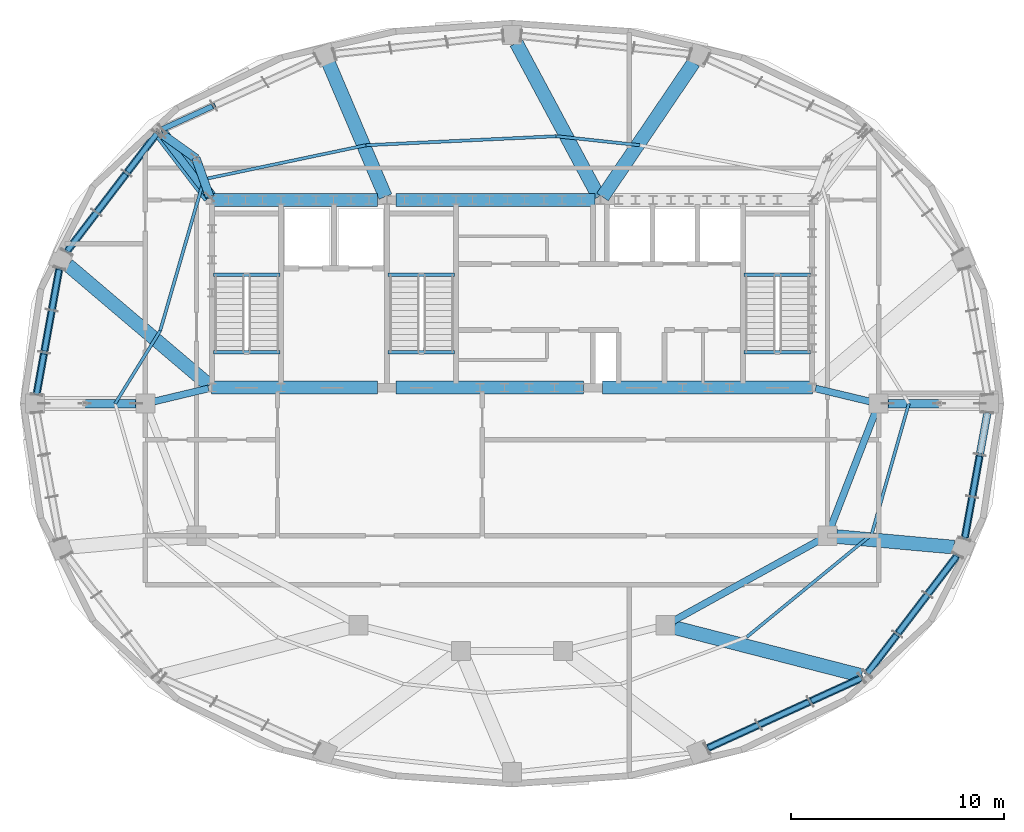
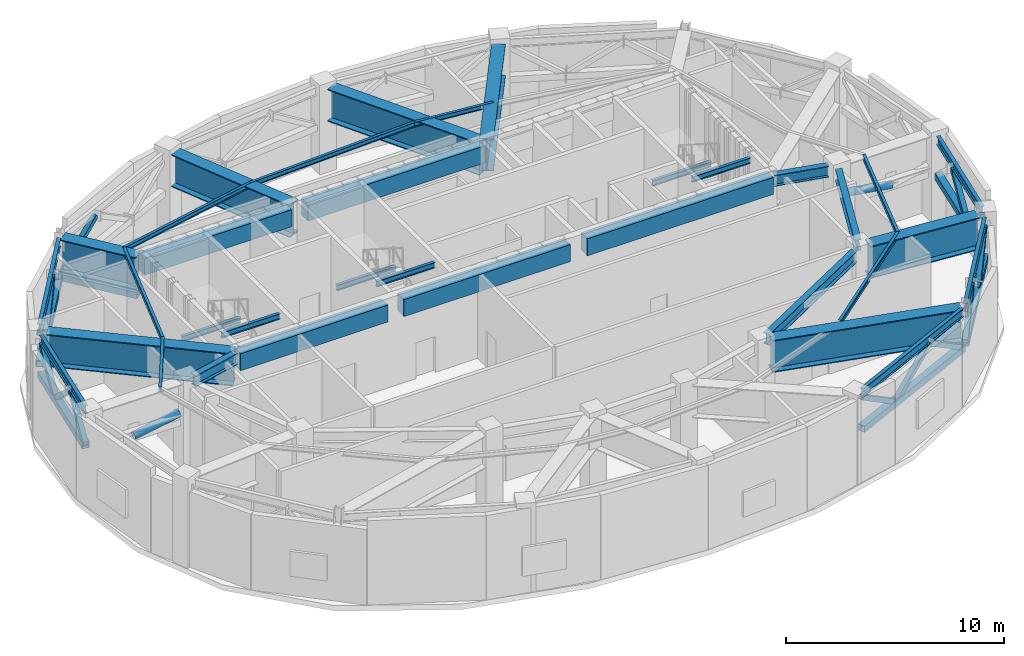
# One storey, part 2 of 15: 34 beams, 25 members.
"""IFC4 building model written with IfcOpenShell, lengths in metres."""

from ifc_helpers import new_model, si_unit, direction, frame, origin, origin_2d, place, context, subcontext, project, spatial, rectangle, hollow_rectangle, hollow_circle, i_section, extrude, material, material_profile, profile_set, type_object, element, save


model = new_model("IFC4")

# Units and contexts
model_context = context("Model", 3, precision=1e-05, world=origin(), true_north=direction((0.0, 1.0)))
body_context = subcontext(model_context, "Body", "Model", "MODEL_VIEW")
ifc_project = project(units=[si_unit("LENGTHUNIT", "METRE"), si_unit("AREAUNIT", "SQUARE_METRE"), si_unit("VOLUMEUNIT", "CUBIC_METRE"), si_unit("PLANEANGLEUNIT", "RADIAN"), si_unit("MASSUNIT", "GRAM", prefix="KILO")], contexts=[model_context])

# Site, building, storey
site_placement = place(None, origin())
site = spatial("IfcSite", under=ifc_project, at=site_placement, CompositionType="ELEMENT")
building_placement = place(site_placement, origin())
building = spatial("IfcBuilding", under=site, at=building_placement, Name="Haldorwick Loom Tower", CompositionType="ELEMENT")
storey_placement = place(building_placement, frame((0.0, 0.0, 286.5)))
storey = spatial("IfcBuildingStorey", under=building, at=storey_placement, Name="L77", CompositionType="ELEMENT", Elevation=286.5)

# Beams
ifc_material_1 = material(Name="Concrete C50 (50 MPa)", Category="concrete")
ifc_material_profile_1 = material_profile(ifc_material_1, rectangle(XDim=0.60009765625, YDim=0.949951171875, at=origin_2d()), Name="RC600X950", Category="concrete")
ifc_profile_set_1 = profile_set([ifc_material_profile_1], Name="Concrete C50 (50 MPa)")
beam_type_1 = type_object("IfcBeamType", Name="STR-BM-CB950", PredefinedType="LINTEL", material=ifc_profile_set_1)
beam_1_placement = place(storey_placement, frame((21.89990234375, 35.550048828125, 4.2451171875), z_axis=(1.0, 0.0, 0.0), x_axis=(0.0, 1.0, 0.0)))
element("IfcBeam", 1, at=beam_1_placement, inside=storey, type_object=beam_type_1, Name="L77 Core Coupling Beam CB-N1", PredefinedType="LINTEL", context=body_context, shape_type="SweptSolid", body=[
    extrude(rectangle(XDim=0.60009765625, YDim=0.949951171875, at=origin_2d()), origin(), (0.0, 0.0, 1.0), 7.800048828125),
])
beam_2_placement = place(storey_placement, frame((30.550048828125, 35.550048828125, 4.2451171875), z_axis=(1.0, 0.0, 0.0), x_axis=(0.0, 1.0, 0.0)))
element("IfcBeam", 2, at=beam_2_placement, inside=storey, type_object=beam_type_1, Name="L77 Core Coupling Beam CB-N2", PredefinedType="LINTEL", context=body_context, shape_type="SweptSolid", body=[
    extrude(rectangle(XDim=0.60009765625, YDim=0.949951171875, at=origin_2d()), origin(), (0.0, 0.0, 1.0), 9.349853515625),
])
beam_3_placement = place(storey_placement, frame((21.89990234375, 26.75, 4.2451171875), z_axis=(1.0, 0.0, 0.0), x_axis=(0.0, 1.0, 0.0)))
element("IfcBeam", 3, at=beam_3_placement, inside=storey, type_object=beam_type_1, Name="L77 Core Coupling Beam CB-S1", PredefinedType="LINTEL", context=body_context, shape_type="SweptSolid", body=[
    extrude(rectangle(XDim=0.60009765625, YDim=0.949951171875, at=origin_2d()), origin(), (0.0, 0.0, 1.0), 7.800048828125),
])
beam_4_placement = place(storey_placement, frame((30.550048828125, 26.75, 4.2451171875), z_axis=(1.0, 0.0, 0.0), x_axis=(0.0, 1.0, 0.0)))
element("IfcBeam", 4, at=beam_4_placement, inside=storey, type_object=beam_type_1, Name="L77 Core Coupling Beam CB-S2", PredefinedType="LINTEL", context=body_context, shape_type="SweptSolid", body=[
    extrude(rectangle(XDim=0.60009765625, YDim=0.949951171875, at=origin_2d()), origin(), (0.0, 0.0, 1.0), 8.800048828125),
])
beam_5_placement = place(storey_placement, frame((40.25, 26.75, 4.2451171875), z_axis=(1.0, 0.0, 0.0), x_axis=(0.0, 1.0, 0.0)))
element("IfcBeam", 5, at=beam_5_placement, inside=storey, type_object=beam_type_1, Name="L77 Core Coupling Beam CB-S3", PredefinedType="LINTEL", context=body_context, shape_type="SweptSolid", body=[
    extrude(rectangle(XDim=0.60009765625, YDim=0.949951171875, at=origin_2d()), origin(), (0.0, 0.0, 1.0), 9.85009765625),
])
ifc_material_2 = material(Name="Steel CSA G40.21 350W", Category="steel")
ifc_material_profile_2 = material_profile(ifc_material_2, i_section(OverallWidth=0.14599609375, OverallDepth=0.258056640625, WebThickness=0.006103515625, FlangeThickness=0.009033203125, at=origin_2d()), Name="W250X33", Category="steel")
ifc_profile_set_2 = profile_set([ifc_material_profile_2], Name="Steel CSA G40.21 350W")
beam_type_2 = type_object("IfcBeamType", Name="STR-BM-J250", PredefinedType="JOIST", material=ifc_profile_set_2)
beam_6_placement = place(storey_placement, frame((41.99755859375, 38.119873046875, 4.591064453125), z_axis=(-0.994246477225, 0.107116490451, 0.0), x_axis=(-0.107116490451, -0.994246477225, 0.0)))
element("IfcBeam", 6, at=beam_6_placement, inside=storey, type_object=beam_type_2, Name="L77 Mid-Bay Secondary Joist 4", PredefinedType="JOIST", context=body_context, shape_type="SweptSolid", body=[
    extrude(i_section(OverallWidth=0.14599609375, OverallDepth=0.258056640625, WebThickness=0.006103515625, FlangeThickness=0.009033203125, at=origin_2d()), origin(), (0.0, 0.0, 1.0), 3.9453125),
])
beam_7_placement = place(storey_placement, frame((38.074951171875, 38.54248046875, 4.591064453125), z_axis=(-0.998882668126, -0.047259023657, 0.0), x_axis=(0.047259023657, -0.998882668126, 0.0)))
element("IfcBeam", 7, at=beam_7_placement, inside=storey, type_object=beam_type_2, Name="L77 Mid-Bay Secondary Joist 5", PredefinedType="JOIST", context=body_context, shape_type="SweptSolid", body=[
    extrude(i_section(OverallWidth=0.14599609375, OverallDepth=0.258056640625, WebThickness=0.006103515625, FlangeThickness=0.009033203125, at=origin_2d()), origin(), (0.0, 0.0, 1.0), 8.9423828125),
])
beam_8_placement = place(storey_placement, frame((29.142578125, 38.119873046875, 4.591064453125), z_axis=(-0.978646531779, -0.205550397315, 0.0), x_axis=(0.205550397315, -0.978646531779, 0.0)))
element("IfcBeam", 8, at=beam_8_placement, inside=storey, type_object=beam_type_2, Name="L77 Mid-Bay Secondary Joist 6", PredefinedType="JOIST", context=body_context, shape_type="SweptSolid", body=[
    extrude(i_section(OverallWidth=0.14599609375, OverallDepth=0.258056640625, WebThickness=0.006103515625, FlangeThickness=0.009033203125, at=origin_2d()), origin(), (0.0, 0.0, 1.0), 7.755859375),
])
beam_9_placement = place(storey_placement, frame((21.55224609375, 36.525634765625, 4.591064453125), z_axis=(-0.27798758119, -0.96058466816, 0.0), x_axis=(0.96058466816, -0.27798758119, 0.0)))
element("IfcBeam", 9, at=beam_9_placement, inside=storey, type_object=beam_type_2, Name="L77 Mid-Bay Secondary Joist 7", PredefinedType="JOIST", context=body_context, shape_type="SweptSolid", body=[
    extrude(i_section(OverallWidth=0.14599609375, OverallDepth=0.258056640625, WebThickness=0.006103515625, FlangeThickness=0.009033203125, at=origin_2d()), origin(), (0.0, 0.0, 1.0), 7.400146484375),
])
beam_10_placement = place(storey_placement, frame((19.4951171875, 29.417236328125, 4.591064453125), z_axis=(-0.525703769437, -0.850667706452, 0.0), x_axis=(0.850667706452, -0.525703769437, 0.0)))
element("IfcBeam", 10, at=beam_10_placement, inside=storey, type_object=beam_type_2, Name="L77 Mid-Bay Secondary Joist 8", PredefinedType="JOIST", context=body_context, shape_type="SweptSolid", body=[
    extrude(i_section(OverallWidth=0.14599609375, OverallDepth=0.258056640625, WebThickness=0.006103515625, FlangeThickness=0.009033203125, at=origin_2d()), origin(), (0.0, 0.0, 1.0), 4.01708984375),
])
beam_11_placement = place(storey_placement, frame((47.0126953125, 15.04931640625, 4.591064453125), z_axis=(0.772901177017, 0.634526414396, 0.0), x_axis=(-0.634526414396, 0.772901177017, 0.0)))
element("IfcBeam", 11, at=beam_11_placement, inside=storey, type_object=beam_type_2, Name="L77 Mid-Bay Secondary Joist 15", PredefinedType="JOIST", context=body_context, shape_type="SweptSolid", body=[
    extrude(i_section(OverallWidth=0.14599609375, OverallDepth=0.258056640625, WebThickness=0.006103515625, FlangeThickness=0.009033203125, at=origin_2d()), origin(), (0.0, 0.0, 1.0), 7.577880859375),
])
beam_12_placement = place(storey_placement, frame((52.86962890625, 19.857666015625, 4.591064453125), z_axis=(0.273579780374, 0.961849314482, 0.0), x_axis=(-0.961849314482, 0.273579780374, 0.0)))
element("IfcBeam", 12, at=beam_12_placement, inside=storey, type_object=beam_type_2, Name="L77 Mid-Bay Secondary Joist 16", PredefinedType="JOIST", context=body_context, shape_type="SweptSolid", body=[
    extrude(i_section(OverallWidth=0.14599609375, OverallDepth=0.258056640625, WebThickness=0.006103515625, FlangeThickness=0.009033203125, at=origin_2d()), origin(), (0.0, 0.0, 1.0), 6.385986328125),
])
ifc_material_profile_3 = material_profile(ifc_material_2, i_section(OverallWidth=0.193115234375, OverallDepth=0.466064453125, WebThickness=0.011474609375, FlangeThickness=0.01904296875, at=origin_2d()), Name="W460X97", Category="steel")
ifc_profile_set_3 = profile_set([ifc_material_profile_3], Name="Steel CSA G40.21 350W")
beam_type_3 = type_object("IfcBeamType", Name="STR-BM-SP460", PredefinedType="SPANDREL", material=ifc_profile_set_3)
beam_13_placement = place(storey_placement, frame((19.336181640625, 38.66552734375, 4.487060546875), z_axis=(-0.606384376075, -0.795171672315, 0.0), x_axis=(0.795171672315, -0.606384376075, 0.0)))
element("IfcBeam", 13, at=beam_13_placement, inside=storey, type_object=beam_type_3, Name="L77 Perimeter Spandrel 7", PredefinedType="SPANDREL", context=body_context, shape_type="SweptSolid", body=[
    extrude(i_section(OverallWidth=0.193115234375, OverallDepth=0.466064453125, WebThickness=0.011474609375, FlangeThickness=0.01904296875, at=origin_2d()), origin(), (0.0, 0.0, 1.0), 6.984619140625),
])
beam_14_placement = place(storey_placement, frame((14.767578125, 32.355224609375, 4.487060546875), z_axis=(-0.177809893073, -0.984064856565, 0.0), x_axis=(0.984064856565, -0.177809893073, 0.0)))
element("IfcBeam", 14, at=beam_14_placement, inside=storey, type_object=beam_type_3, Name="L77 Perimeter Spandrel 8", PredefinedType="SPANDREL", context=body_context, shape_type="SweptSolid", body=[
    extrude(i_section(OverallWidth=0.193115234375, OverallDepth=0.466064453125, WebThickness=0.011474609375, FlangeThickness=0.01904296875, at=origin_2d()), origin(), (0.0, 0.0, 1.0), 6.033203125),
])
beam_15_placement = place(storey_placement, frame((45.150390625, 9.823486328125, 4.487060546875), z_axis=(0.910060964072, 0.414474416185, 0.0), x_axis=(-0.414474416185, 0.910060964072, 0.0)))
element("IfcBeam", 15, at=beam_15_placement, inside=storey, type_object=beam_type_3, Name="L77 Perimeter Spandrel 14", PredefinedType="SPANDREL", context=body_context, shape_type="SweptSolid", body=[
    extrude(i_section(OverallWidth=0.193115234375, OverallDepth=0.466064453125, WebThickness=0.011474609375, FlangeThickness=0.01904296875, at=origin_2d()), origin(), (0.0, 0.0, 1.0), 7.97021484375),
])
beam_16_placement = place(storey_placement, frame((52.663818359375, 13.33447265625, 4.487060546875), z_axis=(0.606384376075, 0.795171672315, 0.0), x_axis=(-0.795171672315, 0.606384376075, 0.0)))
element("IfcBeam", 16, at=beam_16_placement, inside=storey, type_object=beam_type_3, Name="L77 Perimeter Spandrel 15", PredefinedType="SPANDREL", context=body_context, shape_type="SweptSolid", body=[
    extrude(i_section(OverallWidth=0.193115234375, OverallDepth=0.466064453125, WebThickness=0.011474609375, FlangeThickness=0.01904296875, at=origin_2d()), origin(), (0.0, 0.0, 1.0), 6.984619140625),
])
beam_17_placement = place(storey_placement, frame((57.232421875, 19.644775390625, 4.487060546875), z_axis=(0.177809893073, 0.984064856565, 0.0), x_axis=(-0.984064856565, 0.177809893073, 0.0)))
element("IfcBeam", 17, at=beam_17_placement, inside=storey, type_object=beam_type_3, Name="L77 Perimeter Spandrel 16", PredefinedType="SPANDREL", context=body_context, shape_type="SweptSolid", body=[
    extrude(i_section(OverallWidth=0.193115234375, OverallDepth=0.466064453125, WebThickness=0.011474609375, FlangeThickness=0.01904296875, at=origin_2d()), origin(), (0.0, 0.0, 1.0), 6.033203125),
])
ifc_material_profile_4 = material_profile(ifc_material_2, i_section(OverallWidth=0.166015625, OverallDepth=0.31298828125, WebThickness=0.006591796875, FlangeThickness=0.01123046875, at=origin_2d()), Name="W310X45", Category="steel")
ifc_profile_set_4 = profile_set([ifc_material_profile_4], Name="Steel CSA G40.21 350W")
beam_type_4 = type_object("IfcBeamType", Name="STR-BM-STRM", PredefinedType="BEAM", material=ifc_profile_set_4)
for number, where, z_axis, x_axis, name in (
    (18, (21.989990234375, 28.39990234375, 4.5634765625), (1.0, 0.0, 0.0), (0.0, 1.0, 0.0), "L77 Stair ST-01 Landing Edge Trimmer"),
    (19, (21.989990234375, 32.0400390625, 2.1435546875), (1.0, 0.0, 0.0), (0.0, 1.0, 0.0), "L77 Stair ST-01 Half-Landing Trimmer 1"),
    (20, (46.889892578125, 28.39990234375, 4.5634765625), (1.0, 0.0, 0.0), (0.0, 1.0, 0.0), "L77 Stair ST-02 Landing Edge Trimmer"),
    (21, (46.889892578125, 32.0400390625, 2.1435546875), (1.0, 0.0, 0.0), (0.0, 1.0, 0.0), "L77 Stair ST-02 Half-Landing Trimmer 1"),
    (22, (30.18994140625, 28.39990234375, 4.5634765625), (1.0, 0.0, 0.0), (0.0, 1.0, 0.0), "L77 Stair ST-03 Landing Edge Trimmer"),
    (23, (30.18994140625, 32.0400390625, 2.1435546875), (1.0, 0.0, 0.0), (0.0, 1.0, 0.0), "L77 Stair ST-03 Half-Landing Trimmer 1"),
):
    element("IfcBeam", number, at=place(storey_placement, frame(where, z_axis=z_axis, x_axis=x_axis)), inside=storey, type_object=beam_type_4, Name=name, PredefinedType="BEAM", context=body_context, shape_type="SweptSolid", body=[
        extrude(i_section(OverallWidth=0.166015625, OverallDepth=0.31298828125, WebThickness=0.006591796875, FlangeThickness=0.01123046875, at=origin_2d()), origin(), (0.0, 0.0, 1.0), 3.1201171875),
    ])
ifc_material_3 = material(Name="Steel CSA G40.21 350WT", Category="steel")
ifc_material_profile_5 = material_profile(ifc_material_3, i_section(OverallWidth=0.64990234375, OverallDepth=1.800048828125, WebThickness=0.02587890625, FlangeThickness=0.048095703125, at=origin_2d()), Name="WWF1800X650", Category="steel")
ifc_profile_set_5 = profile_set([ifc_material_profile_5], Name="Steel CSA G40.21 350WT")
beam_type_5 = type_object("IfcBeamType", Name="STR-BM-TG1800", PredefinedType="BEAM", material=ifc_profile_set_5)
beam_18_placement = place(storey_placement, frame((40.246337890625, 35.69189453125, 3.820068359375), z_axis=(0.561268006634, 0.827634112835, 0.0), x_axis=(-0.827634112835, 0.561268006634, 0.0)))
element("IfcBeam", 24, at=beam_18_placement, inside=storey, type_object=beam_type_5, Name="L77 Setback Inner Transfer Girder 4", PredefinedType="BEAM", context=body_context, shape_type="SweptSolid", body=[
    extrude(i_section(OverallWidth=0.64990234375, OverallDepth=1.800048828125, WebThickness=0.02587890625, FlangeThickness=0.048095703125, at=origin_2d()), origin(), (0.0, 0.0, 1.0), 7.623046875),
])
beam_19_placement = place(storey_placement, frame((40.069091796875, 35.701171875, 3.820068359375), z_axis=(-0.472299991388, 0.881437869696, 0.0), x_axis=(-0.881437869696, -0.472299991388, 0.0)))
element("IfcBeam", 25, at=beam_19_placement, inside=storey, type_object=beam_type_5, Name="L77 Setback Inner Transfer Girder 5", PredefinedType="BEAM", context=body_context, shape_type="SweptSolid", body=[
    extrude(i_section(OverallWidth=0.64990234375, OverallDepth=1.800048828125, WebThickness=0.02587890625, FlangeThickness=0.048095703125, at=origin_2d()), origin(), (0.0, 0.0, 1.0), 8.190673828125),
])
beam_20_placement = place(storey_placement, frame((30.06298828125, 35.707763671875, 3.820068359375), z_axis=(-0.391420554147, 0.92021190483, 0.0), x_axis=(-0.92021190483, -0.391420554147, 0.0)))
element("IfcBeam", 26, at=beam_20_placement, inside=storey, type_object=beam_type_5, Name="L77 Setback Inner Transfer Girder 6", PredefinedType="BEAM", context=body_context, shape_type="SweptSolid", body=[
    extrude(i_section(OverallWidth=0.64990234375, OverallDepth=1.800048828125, WebThickness=0.02587890625, FlangeThickness=0.048095703125, at=origin_2d()), origin(), (0.0, 0.0, 1.0), 6.796142578125),
])
beam_21_placement = place(storey_placement, frame((21.82568359375, 35.686279296875, 3.820068359375), z_axis=(-0.607923320425, 0.793995740847, 0.0), x_axis=(-0.793995740847, -0.607923320425, 0.0)))
element("IfcBeam", 27, at=beam_21_placement, inside=storey, type_object=beam_type_5, Name="L77 Setback Inner Transfer Girder 7", PredefinedType="BEAM", context=body_context, shape_type="SweptSolid", body=[
    extrude(i_section(OverallWidth=0.64990234375, OverallDepth=1.800048828125, WebThickness=0.02587890625, FlangeThickness=0.048095703125, at=origin_2d()), origin(), (0.0, 0.0, 1.0), 3.75244140625),
])
beam_22_placement = place(storey_placement, frame((21.79931640625, 26.861083984375, 3.820068359375), z_axis=(-0.761954542494, 0.647630508216, 0.0), x_axis=(-0.647630508216, -0.761954542494, 0.0)))
element("IfcBeam", 28, at=beam_22_placement, inside=storey, type_object=beam_type_5, Name="L77 Setback Inner Transfer Girder 8", PredefinedType="BEAM", context=body_context, shape_type="SweptSolid", body=[
    extrude(i_section(OverallWidth=0.64990234375, OverallDepth=1.800048828125, WebThickness=0.02587890625, FlangeThickness=0.048095703125, at=origin_2d()), origin(), (0.0, 0.0, 1.0), 8.704345703125),
])
beam_23_placement = place(storey_placement, frame((43.61181640625, 15.494384765625, 3.820068359375), z_axis=(0.968607693966, -0.248594318498, 0.0), x_axis=(0.248594318498, 0.968607693966, 0.0)))
element("IfcBeam", 29, at=beam_23_placement, inside=storey, type_object=beam_type_5, Name="L77 Setback Inner Transfer Girder 15", PredefinedType="BEAM", context=body_context, shape_type="SweptSolid", body=[
    extrude(i_section(OverallWidth=0.64990234375, OverallDepth=1.800048828125, WebThickness=0.02587890625, FlangeThickness=0.048095703125, at=origin_2d()), origin(), (0.0, 0.0, 1.0), 9.066650390625),
])
beam_24_placement = place(storey_placement, frame((51.223388671875, 19.76171875, 3.820068359375), z_axis=(0.995955545461, -0.08984737873, 0.0), x_axis=(0.08984737873, 0.995955545461, 0.0)))
element("IfcBeam", 30, at=beam_24_placement, inside=storey, type_object=beam_type_5, Name="L77 Setback Inner Transfer Girder 16", PredefinedType="BEAM", context=body_context, shape_type="SweptSolid", body=[
    extrude(i_section(OverallWidth=0.64990234375, OverallDepth=1.800048828125, WebThickness=0.02587890625, FlangeThickness=0.048095703125, at=origin_2d()), origin(), (0.0, 0.0, 1.0), 5.532470703125),
])
ifc_material_profile_6 = material_profile(ifc_material_2, i_section(OverallWidth=0.324951171875, OverallDepth=0.615966796875, WebThickness=0.013916015625, FlangeThickness=0.021484375, at=origin_2d()), Name="W610X174", Category="steel")
ifc_profile_set_6 = profile_set([ifc_material_profile_6], Name="Steel CSA G40.21 350W")
beam_type_6 = type_object("IfcBeamType", Name="STR-BM-W610A", PredefinedType="BEAM", material=ifc_profile_set_6)
beam_25_placement = place(storey_placement, frame((50.23681640625, 26.7099609375, 4.412109375), z_axis=(0.972483573168, -0.232971457302, 0.0), x_axis=(0.232971457302, 0.972483573168, 0.0)))
element("IfcBeam", 31, at=beam_25_placement, inside=storey, type_object=beam_type_6, Name="L77 Inner Ring Girder 1", PredefinedType="BEAM", context=body_context, shape_type="SweptSolid", body=[
    extrude(i_section(OverallWidth=0.324951171875, OverallDepth=0.615966796875, WebThickness=0.013916015625, FlangeThickness=0.021484375, at=origin_2d()), origin(), (0.0, 0.0, 1.0), 2.6220703125),
])
beam_26_placement = place(storey_placement, frame((53.046630859375, 25.603759765625, 4.412109375), z_axis=(-0.361001189766, -0.932565354808, 0.0), x_axis=(0.932565354808, -0.361001189766, 0.0)))
element("IfcBeam", 32, at=beam_26_placement, inside=storey, type_object=beam_type_6, Name="L77 Inner Ring Girder 2", PredefinedType="BEAM", context=body_context, shape_type="SweptSolid", body=[
    extrude(i_section(OverallWidth=0.324951171875, OverallDepth=0.615966796875, WebThickness=0.013916015625, FlangeThickness=0.021484375, at=origin_2d()), origin(), (0.0, 0.0, 1.0), 5.798583984375),
])
beam_27_placement = place(storey_placement, frame((50.427978515625, 19.594482421875, 4.412109375), z_axis=(-0.875241535439, -0.48368611169, 0.0), x_axis=(0.48368611169, -0.875241535439, 0.0)))
element("IfcBeam", 33, at=beam_27_placement, inside=storey, type_object=beam_type_6, Name="L77 Inner Ring Girder 3", PredefinedType="BEAM", context=body_context, shape_type="SweptSolid", body=[
    extrude(i_section(OverallWidth=0.324951171875, OverallDepth=0.615966796875, WebThickness=0.013916015625, FlangeThickness=0.021484375, at=origin_2d()), origin(), (0.0, 0.0, 1.0), 7.833251953125),
])
beam_28_placement = place(storey_placement, frame((19.21337890625, 26.09912109375, 4.412109375), z_axis=(0.972483573168, 0.232971457302, 0.0), x_axis=(-0.232971457302, 0.972483573168, 0.0)))
element("IfcBeam", 34, at=beam_28_placement, inside=storey, type_object=beam_type_6, Name="L77 Inner Ring Girder 9", PredefinedType="BEAM", context=body_context, shape_type="SweptSolid", body=[
    extrude(i_section(OverallWidth=0.324951171875, OverallDepth=0.615966796875, WebThickness=0.013916015625, FlangeThickness=0.021484375, at=origin_2d()), origin(), (0.0, 0.0, 1.0), 2.6220703125),
])

# Members
ifc_material_profile_7 = material_profile(ifc_material_2, hollow_rectangle(XDim=0.25390625, YDim=0.25390625, WallThickness=0.0126953125, at=origin_2d()), Name="HSS254X254X13", Category="steel")
ifc_profile_set_7 = profile_set([ifc_material_profile_7], Name="Steel CSA G40.21 350W")
member_type_1 = type_object("IfcMemberType", Name="STR-MEM-BR254", PredefinedType="BRACE", material=ifc_profile_set_7)
member_1_placement = place(storey_placement, frame((22.013916015625, 39.974365234375, 4.25390625), z_axis=(-0.759462024958, -0.345949025001, -0.550941652762), x_axis=(0.414536708105, -0.910032591523, 0.0)))
element("IfcMember", 35, at=member_1_placement, inside=storey, type_object=member_type_1, Name="L77 Perimeter Belt Truss Web Diagonal 6-3", PredefinedType="BRACE", context=body_context, shape_type="SweptSolid", body=[
    extrude(hollow_rectangle(XDim=0.25390625, YDim=0.25390625, WallThickness=0.0126953125, at=origin_2d()), origin(), (0.0, 0.0, 1.0), 3.183349609375),
])
member_2_placement = place(storey_placement, frame((19.336181640625, 38.66552734375, 2.5), z_axis=(-0.484353249728, -0.635111653586, 0.601693540731), x_axis=(0.795154818191, -0.606406476803, 0.0)))
element("IfcMember", 36, at=member_2_placement, inside=storey, type_object=member_type_1, Name="L77 Perimeter Belt Truss Web Diagonal 7-1", PredefinedType="BRACE", context=body_context, shape_type="SweptSolid", body=[
    extrude(hollow_rectangle(XDim=0.25390625, YDim=0.25390625, WallThickness=0.0126953125, at=origin_2d()), origin(), (0.0, 0.0, 1.0), 2.9150390625),
])
member_3_placement = place(storey_placement, frame((17.92431640625, 36.814208984375, 4.25390625), z_axis=(-0.484289139842, -0.635137417403, -0.601717948915), x_axis=(0.795205380865, -0.606340170402, 0.0)))
element("IfcMember", 37, at=member_3_placement, inside=storey, type_object=member_type_1, Name="L77 Perimeter Belt Truss Web Diagonal 7-2", PredefinedType="BRACE", context=body_context, shape_type="SweptSolid", body=[
    extrude(hollow_rectangle(XDim=0.25390625, YDim=0.25390625, WallThickness=0.0126953125, at=origin_2d()), origin(), (0.0, 0.0, 1.0), 2.914794921875),
])
member_4_placement = place(storey_placement, frame((16.5126953125, 34.962890625, 2.5), z_axis=(-0.484353249728, -0.635111653586, 0.601693540731), x_axis=(0.795154818191, -0.606406476803, 0.0)))
element("IfcMember", 38, at=member_4_placement, inside=storey, type_object=member_type_1, Name="L77 Perimeter Belt Truss Web Diagonal 7-3", PredefinedType="BRACE", context=body_context, shape_type="SweptSolid", body=[
    extrude(hollow_rectangle(XDim=0.25390625, YDim=0.25390625, WallThickness=0.0126953125, at=origin_2d()), origin(), (0.0, 0.0, 1.0), 2.9150390625),
])
for number, where, z_axis, x_axis, name in (
    (39, (14.767578125, 32.355224609375, 4.25390625), (-0.134035654737, -0.741633458906, -0.65727791374), (0.984057775146, -0.177849079767, 0.0), "L77 Perimeter Belt Truss Web Diagonal 8-1"),
    (40, (14.409912109375, 30.376220703125, 2.5), (-0.133945804873, -0.741642550753, 0.657285971454), (0.984079015025, -0.177731517147, 0.0), "L77 Perimeter Belt Truss Web Diagonal 8-2"),
    (41, (14.052490234375, 28.397216796875, 4.25390625), (-0.134035654737, -0.741633458906, -0.65727791374), (0.984057775146, -0.177849079767, 0.0), "L77 Perimeter Belt Truss Web Diagonal 8-3"),
):
    element("IfcMember", number, at=place(storey_placement, frame(where, z_axis=z_axis, x_axis=x_axis)), inside=storey, type_object=member_type_1, Name=name, PredefinedType="BRACE", context=body_context, shape_type="SweptSolid", body=[
        extrude(hollow_rectangle(XDim=0.25390625, YDim=0.25390625, WallThickness=0.0126953125, at=origin_2d()), origin(), (0.0, 0.0, 1.0), 2.66845703125),
    ])
member_5_placement = place(storey_placement, frame((45.150390625, 9.823486328125, 4.25390625), z_axis=(0.75948217271, 0.345881510545, -0.550956268681), x_axis=(-0.414460600356, 0.91006725617, 0.0)))
element("IfcMember", 42, at=member_5_placement, inside=storey, type_object=member_type_1, Name="L77 Perimeter Belt Truss Web Diagonal 14-1", PredefinedType="BRACE", context=body_context, shape_type="SweptSolid", body=[
    extrude(hollow_rectangle(XDim=0.25390625, YDim=0.25390625, WallThickness=0.0126953125, at=origin_2d()), origin(), (0.0, 0.0, 1.0), 3.183349609375),
])
member_6_placement = place(storey_placement, frame((47.568115234375, 10.924560546875, 2.5), z_axis=(0.759514624974, 0.345861364967, 0.550924178697), x_axis=(-0.414425940169, 0.91008304023, 0.0)))
element("IfcMember", 43, at=member_6_placement, inside=storey, type_object=member_type_1, Name="L77 Perimeter Belt Truss Web Diagonal 14-2", PredefinedType="BRACE", context=body_context, shape_type="SweptSolid", body=[
    extrude(hollow_rectangle(XDim=0.25390625, YDim=0.25390625, WallThickness=0.0126953125, at=origin_2d()), origin(), (0.0, 0.0, 1.0), 3.18359375),
])
member_7_placement = place(storey_placement, frame((49.986083984375, 12.025634765625, 4.25390625), z_axis=(0.759462024958, 0.345949025001, -0.550941652762), x_axis=(-0.414536708105, 0.910032591523, 0.0)))
element("IfcMember", 44, at=member_7_placement, inside=storey, type_object=member_type_1, Name="L77 Perimeter Belt Truss Web Diagonal 14-3", PredefinedType="BRACE", context=body_context, shape_type="SweptSolid", body=[
    extrude(hollow_rectangle(XDim=0.25390625, YDim=0.25390625, WallThickness=0.0126953125, at=origin_2d()), origin(), (0.0, 0.0, 1.0), 3.183349609375),
])
member_8_placement = place(storey_placement, frame((52.663818359375, 13.33447265625, 2.5), z_axis=(0.484353249728, 0.635111653586, 0.601693540731), x_axis=(-0.795154818191, 0.606406476803, 0.0)))
element("IfcMember", 45, at=member_8_placement, inside=storey, type_object=member_type_1, Name="L77 Perimeter Belt Truss Web Diagonal 15-1", PredefinedType="BRACE", context=body_context, shape_type="SweptSolid", body=[
    extrude(hollow_rectangle(XDim=0.25390625, YDim=0.25390625, WallThickness=0.0126953125, at=origin_2d()), origin(), (0.0, 0.0, 1.0), 2.9150390625),
])
member_9_placement = place(storey_placement, frame((54.07568359375, 15.185791015625, 4.25390625), z_axis=(0.484289139842, 0.635137417403, -0.601717948915), x_axis=(-0.795205380865, 0.606340170402, 0.0)))
element("IfcMember", 46, at=member_9_placement, inside=storey, type_object=member_type_1, Name="L77 Perimeter Belt Truss Web Diagonal 15-2", PredefinedType="BRACE", context=body_context, shape_type="SweptSolid", body=[
    extrude(hollow_rectangle(XDim=0.25390625, YDim=0.25390625, WallThickness=0.0126953125, at=origin_2d()), origin(), (0.0, 0.0, 1.0), 2.914794921875),
])
member_10_placement = place(storey_placement, frame((55.4873046875, 17.037109375, 2.5), z_axis=(0.484353249728, 0.635111653586, 0.601693540731), x_axis=(-0.795154818191, 0.606406476803, 0.0)))
element("IfcMember", 47, at=member_10_placement, inside=storey, type_object=member_type_1, Name="L77 Perimeter Belt Truss Web Diagonal 15-3", PredefinedType="BRACE", context=body_context, shape_type="SweptSolid", body=[
    extrude(hollow_rectangle(XDim=0.25390625, YDim=0.25390625, WallThickness=0.0126953125, at=origin_2d()), origin(), (0.0, 0.0, 1.0), 2.9150390625),
])
for number, where, z_axis, x_axis, name in (
    (48, (57.232421875, 19.644775390625, 4.25390625), (0.134035654737, 0.741633458906, -0.65727791374), (-0.984057775146, 0.177849079767, 0.0), "L77 Perimeter Belt Truss Web Diagonal 16-1"),
    (49, (57.590087890625, 21.623779296875, 2.5), (0.133945804873, 0.741642550753, 0.657285971454), (-0.984079015025, 0.177731517147, 0.0), "L77 Perimeter Belt Truss Web Diagonal 16-2"),
):
    element("IfcMember", number, at=place(storey_placement, frame(where, z_axis=z_axis, x_axis=x_axis)), inside=storey, type_object=member_type_1, Name=name, PredefinedType="BRACE", context=body_context, shape_type="SweptSolid", body=[
        extrude(hollow_rectangle(XDim=0.25390625, YDim=0.25390625, WallThickness=0.0126953125, at=origin_2d()), origin(), (0.0, 0.0, 1.0), 2.66845703125),
    ])
ifc_material_profile_8 = material_profile(ifc_material_2, hollow_circle(Radius=0.203125, WallThickness=0.0126953125, at=origin_2d()), Name="HSS406X13", Category="steel")
ifc_profile_set_8 = profile_set([ifc_material_profile_8], Name="Steel CSA G40.21 350W")
member_type_2 = type_object("IfcMemberType", Name="STR-MEM-BR406C", PredefinedType="BRACE", material=ifc_profile_set_8)
member_11_placement = place(storey_placement, frame((53.625, 26.0, 2.919921875), z_axis=(0.985141317223, 0.0, -0.171745698928), x_axis=(0.0, 1.0, 0.0)))
element("IfcMember", 50, at=member_11_placement, inside=storey, type_object=member_type_2, Name="L77 Outrigger OT-E Inner Diagonal", PredefinedType="BRACE", context=body_context, shape_type="SweptSolid", body=[
    extrude(hollow_circle(Radius=0.203125, WallThickness=0.0126953125, at=origin_2d()), origin(), (0.0, 0.0, 1.0), 2.445068359375),
])
member_12_placement = place(storey_placement, frame((21.82568359375, 35.686279296875, 2.919921875), z_axis=(-0.329949841643, 0.919702708202, -0.212791048979), x_axis=(-0.94125969402, -0.337683562544, 0.0)))
element("IfcMember", 51, at=member_12_placement, inside=storey, type_object=member_type_2, Name="L77 Outrigger OT-NW Inner Diagonal", PredefinedType="BRACE", context=body_context, shape_type="SweptSolid", body=[
    extrude(hollow_circle(Radius=0.203125, WallThickness=0.0126953125, at=origin_2d()), origin(), (0.0, 0.0, 1.0), 1.973388671875),
])
member_13_placement = place(storey_placement, frame((21.174560546875, 37.501220703125, 2.5), z_axis=(-0.79638559107, 0.56893204574, 0.20514950077), x_axis=(-0.581295831091, -0.813692298573, 0.0)))
element("IfcMember", 52, at=member_13_placement, inside=storey, type_object=member_type_2, Name="L77 Outrigger OT-NW Outer Diagonal", PredefinedType="BRACE", context=body_context, shape_type="SweptSolid", body=[
    extrude(hollow_circle(Radius=0.203125, WallThickness=0.0126953125, at=origin_2d()), origin(), (0.0, 0.0, 1.0), 2.046875),
])
member_14_placement = place(storey_placement, frame((18.375, 26.0, 2.919921875), z_axis=(-0.985141317223, 0.0, -0.171745698928), x_axis=(0.0, -1.0, 0.0)))
element("IfcMember", 53, at=member_14_placement, inside=storey, type_object=member_type_2, Name="L77 Outrigger OT-W Inner Diagonal", PredefinedType="BRACE", context=body_context, shape_type="SweptSolid", body=[
    extrude(hollow_circle(Radius=0.203125, WallThickness=0.0126953125, at=origin_2d()), origin(), (0.0, 0.0, 1.0), 2.445068359375),
])
ifc_material_profile_9 = material_profile(ifc_material_2, hollow_rectangle(XDim=0.355712890625, YDim=0.355712890625, WallThickness=0.015869140625, at=origin_2d()), Name="HSS356X356X16", Category="steel")
ifc_profile_set_9 = profile_set([ifc_material_profile_9], Name="Steel CSA G40.21 350W")
member_type_3 = type_object("IfcMemberType", Name="STR-MEM-CH356", PredefinedType="CHORD", material=ifc_profile_set_9)
member_15_placement = place(storey_placement, frame((19.336181640625, 38.66552734375, 2.5), z_axis=(-0.606384376075, -0.795171672315, 0.0), x_axis=(0.795171672315, -0.606384376075, 0.0)))
element("IfcMember", 54, at=member_15_placement, inside=storey, type_object=member_type_3, Name="L77 Perimeter Belt Truss Bottom Chord 7", PredefinedType="CHORD", context=body_context, shape_type="SweptSolid", body=[
    extrude(hollow_rectangle(XDim=0.355712890625, YDim=0.355712890625, WallThickness=0.015869140625, at=origin_2d()), origin(), (0.0, 0.0, 1.0), 6.984619140625),
])
member_16_placement = place(storey_placement, frame((14.767578125, 32.355224609375, 2.5), z_axis=(-0.177809893073, -0.984064856565, 0.0), x_axis=(0.984064856565, -0.177809893073, 0.0)))
element("IfcMember", 55, at=member_16_placement, inside=storey, type_object=member_type_3, Name="L77 Perimeter Belt Truss Bottom Chord 8", PredefinedType="CHORD", context=body_context, shape_type="SweptSolid", body=[
    extrude(hollow_rectangle(XDim=0.355712890625, YDim=0.355712890625, WallThickness=0.015869140625, at=origin_2d()), origin(), (0.0, 0.0, 1.0), 6.033203125),
])
member_17_placement = place(storey_placement, frame((45.150390625, 9.823486328125, 2.5), z_axis=(0.910060964072, 0.414474416185, 0.0), x_axis=(-0.414474416185, 0.910060964072, 0.0)))
element("IfcMember", 56, at=member_17_placement, inside=storey, type_object=member_type_3, Name="L77 Perimeter Belt Truss Bottom Chord 14", PredefinedType="CHORD", context=body_context, shape_type="SweptSolid", body=[
    extrude(hollow_rectangle(XDim=0.355712890625, YDim=0.355712890625, WallThickness=0.015869140625, at=origin_2d()), origin(), (0.0, 0.0, 1.0), 7.97021484375),
])
member_18_placement = place(storey_placement, frame((52.663818359375, 13.33447265625, 2.5), z_axis=(0.606384376075, 0.795171672315, 0.0), x_axis=(-0.795171672315, 0.606384376075, 0.0)))
element("IfcMember", 57, at=member_18_placement, inside=storey, type_object=member_type_3, Name="L77 Perimeter Belt Truss Bottom Chord 15", PredefinedType="CHORD", context=body_context, shape_type="SweptSolid", body=[
    extrude(hollow_rectangle(XDim=0.355712890625, YDim=0.355712890625, WallThickness=0.015869140625, at=origin_2d()), origin(), (0.0, 0.0, 1.0), 6.984619140625),
])
member_19_placement = place(storey_placement, frame((57.232421875, 19.644775390625, 2.5), z_axis=(0.177809893073, 0.984064856565, 0.0), x_axis=(-0.984064856565, 0.177809893073, 0.0)))
element("IfcMember", 58, at=member_19_placement, inside=storey, type_object=member_type_3, Name="L77 Perimeter Belt Truss Bottom Chord 16", PredefinedType="CHORD", context=body_context, shape_type="SweptSolid", body=[
    extrude(hollow_rectangle(XDim=0.355712890625, YDim=0.355712890625, WallThickness=0.015869140625, at=origin_2d()), origin(), (0.0, 0.0, 1.0), 6.033203125),
])
member_20_placement = place(storey_placement, frame((21.82568359375, 35.686279296875, 2.5), z_axis=(-0.607923320425, 0.793995740847, 0.0), x_axis=(-0.793995740847, -0.607923320425, 0.0)))
element("IfcMember", 59, at=member_20_placement, inside=storey, type_object=member_type_3, Name="L77 Outrigger OT-NW Bottom Chord", PredefinedType="CHORD", context=body_context, shape_type="SweptSolid", body=[
    extrude(hollow_rectangle(XDim=0.355712890625, YDim=0.355712890625, WallThickness=0.015869140625, at=origin_2d()), origin(), (0.0, 0.0, 1.0), 3.75244140625),
])

save(model, "model.ifc")
